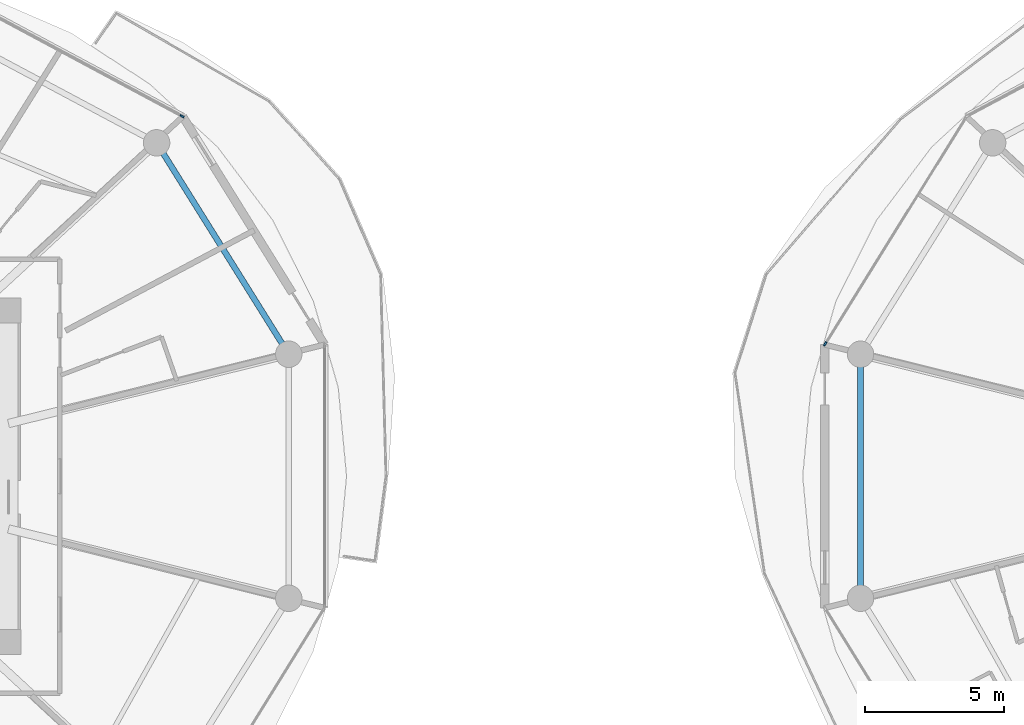
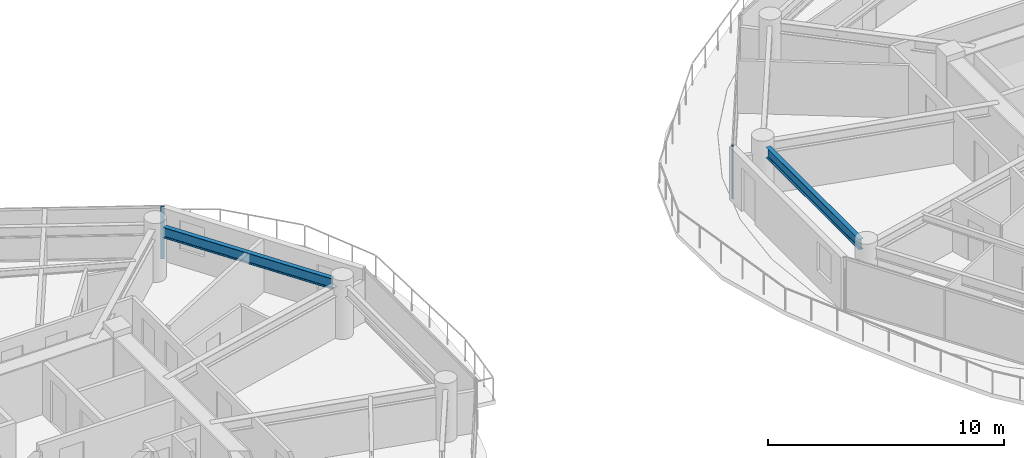
# One storey, part 7 of 26: 2 beams, 2 members, 2 elements without a shape of their own.
"""IFC4 building model written with IfcOpenShell, lengths in metres."""

from ifc_helpers import new_model, si_unit, direction, frame, origin, origin_2d, place, context, subcontext, project, spatial, rectangle, i_section, extrude, source, transform, mapped, material, layer, layer_set, material_profile, profile_set, type_object, type_shapes, element, aggregate, save


model = new_model("IFC4")

# Units and contexts
model_context = context("Model", 3, precision=1e-05, world=origin(), true_north=direction((0.0, 1.0)))
body_context = subcontext(model_context, "Body", "Model", "MODEL_VIEW")
ifc_project = project(units=[si_unit("LENGTHUNIT", "METRE"), si_unit("AREAUNIT", "SQUARE_METRE"), si_unit("VOLUMEUNIT", "CUBIC_METRE"), si_unit("PLANEANGLEUNIT", "RADIAN"), si_unit("MASSUNIT", "GRAM", prefix="KILO")], contexts=[model_context])

# Site, building, storey
site_placement = place(None, origin())
site = spatial("IfcSite", under=ifc_project, at=site_placement, CompositionType="ELEMENT")
building_placement = place(site_placement, origin())
building = spatial("IfcBuilding", under=site, at=building_placement, Name="Norrkilde Senior Care Towers", CompositionType="ELEMENT")
storey_placement = place(building_placement, frame((0.0, 0.0, 70.39990234375)))
storey = spatial("IfcBuildingStorey", under=building, at=storey_placement, Name="L21", CompositionType="ELEMENT", Elevation=70.39990234375)

# Beams
ifc_material_1 = material(Name="Steel S355", Category="steel")
ifc_material_profile_1 = material_profile(ifc_material_1, i_section(OverallWidth=0.2099609375, OverallDepth=0.550048828125, WebThickness=0.010986328125, FlangeThickness=0.01708984375, FilletRadius=0.02392578125, at=origin_2d()), Name="IPE 550")
ifc_profile_set_1 = profile_set([ifc_material_profile_1], Name="Steel S355")
beam_type = type_object("IfcBeamType", Name="Perimeter Ring Spandrel Z1 IPE550", PredefinedType="SPANDREL", material=ifc_profile_set_1)
shared_shape_1 = source(origin(), body_context, "Body", "SweptSolid", [
    extrude(i_section(OverallWidth=0.2099609375, OverallDepth=0.550048828125, WebThickness=0.010986328125, FlangeThickness=0.01708984375, FilletRadius=0.02392578125, at=origin_2d()), origin(), (0.0, 0.0, 1.0), 8.090576171875),
])
beam_1_placement = place(storey_placement, frame((-10.505859375, 4.755859375, 2.455078125), z_axis=(-0.530004364821, 0.84799491347, 0.0), x_axis=(-0.84799491347, -0.530004364821, 0.0)))
element("IfcBeam", 1, at=beam_1_placement, inside=storey, type_object=beam_type, Name="L21 Drum W Perimeter Spandrel 01", PredefinedType="SPANDREL", context=body_context, shape_type="MappedRepresentation", body=[
    mapped(shared_shape_1, transform((0.0, 0.0, 0.0), x_axis=(1.0, 0.0, 0.0), y_axis=(0.0, 1.0, 0.0), z_axis=(0.0, 0.0, 1.0), scale=1.0)),
])
shared_shape_2 = source(origin(), body_context, "Body", "SweptSolid", [
    extrude(i_section(OverallWidth=0.2099609375, OverallDepth=0.550048828125, WebThickness=0.010986328125, FlangeThickness=0.01708984375, FilletRadius=0.02392578125, at=origin_2d()), origin(), (0.0, 0.0, 1.0), 7.90380859375),
])
type_shapes(beam_type, [shared_shape_1, shared_shape_2])
beam_2_placement = place(storey_placement, frame((10.275146484375, 3.951904296875, 2.455078125), z_axis=(0.0, -1.0, 0.0), x_axis=(1.0, 0.0, 0.0)))
element("IfcBeam", 2, at=beam_2_placement, inside=storey, type_object=beam_type, Name="L21 Drum E Perimeter Spandrel 06", PredefinedType="SPANDREL", context=body_context, shape_type="MappedRepresentation", body=[
    mapped(shared_shape_2, transform((0.0, 0.0, 0.0), x_axis=(1.0, 0.0, 0.0), y_axis=(0.0, 1.0, 0.0), z_axis=(0.0, 0.0, 1.0), scale=1.0)),
])

# Curtain wall, member
ifc_material_2 = material(Name="Triple Low-E Insulated Glazing", Category="glass")
ifc_layer = layer(ifc_material_2, 0.199951171875)
ifc_layer_set = layer_set([ifc_layer], Name="Triple Low-E Insulated Glazing")
curtain_wall_type = type_object("IfcCurtainWallType", Name="CW2 Zone 1 Memory Care Curtain Wall", PredefinedType="NOTDEFINED", material=ifc_layer_set)
curtain_wall_1_placement = place(storey_placement, origin())
curtain_wall_1 = element("IfcCurtainWall", 3, at=curtain_wall_1_placement, inside=storey, type_object=curtain_wall_type, Name="L21 Drum W Curtain Wall 01", PredefinedType="NOTDEFINED")
ifc_material_3 = material(Name="Anodised Aluminium", Category="aluminium")
ifc_material_profile_2 = material_profile(ifc_material_3, rectangle(XDim=0.06494140625, YDim=0.159912109375, at=origin_2d()), Name="ALU MULL 65x160")
ifc_profile_set_2 = profile_set([ifc_material_profile_2], Name="Anodised Aluminium")
member_type = type_object("IfcMemberType", Name="Curtain Wall Mullion Z1-Z2 65x160", PredefinedType="MULLION", material=ifc_profile_set_2)
shared_shape_3 = source(origin(), body_context, "Body", "SweptSolid", [
    extrude(rectangle(XDim=0.06494140625, YDim=0.159912109375, at=origin_2d()), origin(), (0.0, 0.0, 1.0), 2.72998046875),
])
type_shapes(member_type, [shared_shape_3])
member_1_placement = place(storey_placement, frame((-14.11279296875, 12.941162109375, 0.0), z_axis=(0.0, 0.0, 1.0), x_axis=(0.472607802456, 0.881272866403, 0.0)))
member_1 = element("IfcMember", 4, at=member_1_placement, type_object=member_type, Name="CW-2 mullion 2", PredefinedType="MULLION", context=body_context, shape_type="MappedRepresentation", body=[
    mapped(shared_shape_3, transform((0.0, 0.0, 0.0), x_axis=(1.0, 0.0, 0.0), y_axis=(0.0, 1.0, 0.0), z_axis=(0.0, 0.0, 1.0), scale=1.0)),
])
aggregate(curtain_wall_1, [member_1])

curtain_wall_2_placement = place(storey_placement, origin())
curtain_wall_2 = element("IfcCurtainWall", 5, at=curtain_wall_2_placement, inside=storey, type_object=curtain_wall_type, Name="L21 Drum E Curtain Wall 04", PredefinedType="NOTDEFINED")
member_2_placement = place(storey_placement, frame((9.0078125, 4.7587890625, 0.0), z_axis=(0.0, 0.0, 1.0), x_axis=(-0.849305943117, 0.527900951871, 0.0)))
member_2 = element("IfcMember", 6, at=member_2_placement, type_object=member_type, Name="CW-2 mullion 1", PredefinedType="MULLION", context=body_context, shape_type="MappedRepresentation", body=[
    mapped(shared_shape_3, transform((0.0, 0.0, 0.0), x_axis=(1.0, 0.0, 0.0), y_axis=(0.0, 1.0, 0.0), z_axis=(0.0, 0.0, 1.0), scale=1.0)),
])
aggregate(curtain_wall_2, [member_2])

save(model, "model.ifc")
